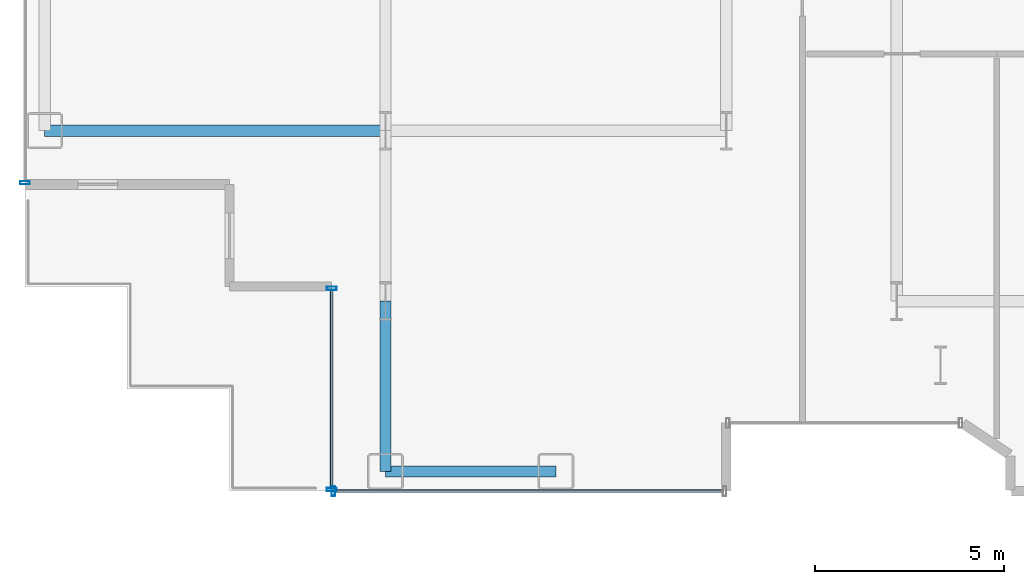
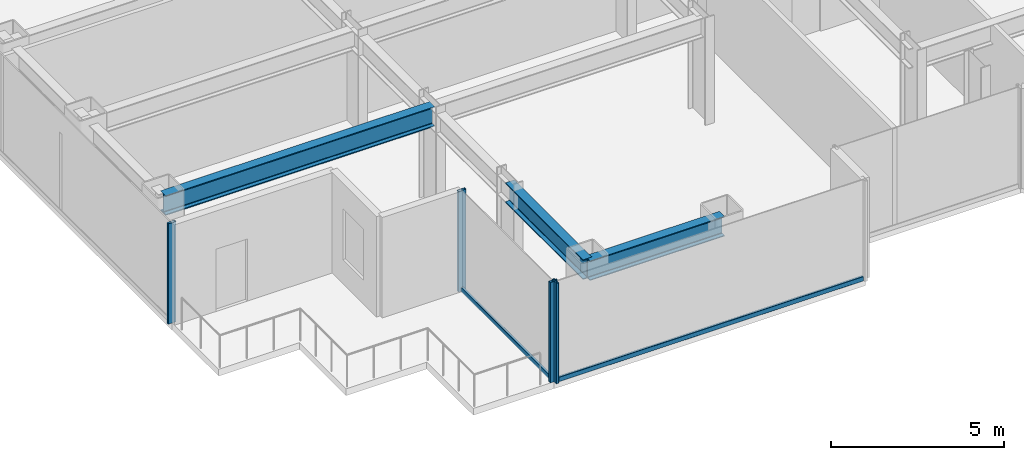
# One storey, part 2 of 27: 6 members, 3 beams, 3 elements without a shape of their own.
"""IFC4 building model written with IfcOpenShell, lengths in metres."""

from ifc_helpers import new_model, si_unit, direction, frame, origin, origin_2d, place, context, subcontext, project, spatial, hollow_rectangle, i_section, extrude, source, transform, mapped, material, layer, layer_set, material_profile, profile_set, type_object, element, aggregate, save


model = new_model("IFC4")

# Units and contexts
model_context = context("Model", 3, precision=1e-05, world=origin(), true_north=direction((0.0, 1.0)))
body_context = subcontext(model_context, "Body", "Model", "MODEL_VIEW")
ifc_project = project(units=[si_unit("LENGTHUNIT", "METRE"), si_unit("AREAUNIT", "SQUARE_METRE"), si_unit("VOLUMEUNIT", "CUBIC_METRE"), si_unit("PLANEANGLEUNIT", "RADIAN"), si_unit("MASSUNIT", "GRAM", prefix="KILO")], contexts=[model_context])

# Site, building, storey
site_placement = place(None, origin())
site = spatial("IfcSite", under=ifc_project, at=site_placement, CompositionType="ELEMENT")
building_placement = place(site_placement, origin())
building = spatial("IfcBuilding", under=site, at=building_placement, Name="Nefas-Gora Pilgrimage Tower", CompositionType="ELEMENT")
storey_placement = place(building_placement, frame((0.0, 0.0, 48.199951171875)))
storey = spatial("IfcBuildingStorey", under=building, at=storey_placement, Name="L10", CompositionType="ELEMENT", Elevation=48.199951171875)

# Beams
ifc_material_1 = material(Name="Steel S355", Category="steel")
ifc_material_profile_1 = material_profile(ifc_material_1, i_section(OverallWidth=0.300048828125, OverallDepth=0.699951171875, WebThickness=0.01708984375, FlangeThickness=0.031982421875, FilletRadius=0.027099609375, at=origin_2d()), Name="HEB 700")
ifc_profile_set_1 = profile_set([ifc_material_profile_1], Name="Steel S355")
beam_type_1 = type_object("IfcBeamType", Name="BM-SPN-HEB600", PredefinedType="SPANDREL", material=ifc_profile_set_1)
shared_shape_1 = source(origin(), body_context, "Body", "SweptSolid", [
    extrude(i_section(OverallWidth=0.300048828125, OverallDepth=0.699951171875, WebThickness=0.01708984375, FlangeThickness=0.031982421875, FilletRadius=0.027099609375, at=origin_2d()), origin(), (0.0, 0.0, 1.0), 4.5),
])
beam_1_placement = place(storey_placement, frame((-24.75, -22.5, 3.199951171875), z_axis=(1.0, 0.0, 0.0), x_axis=(0.0, 1.0, 0.0)))
element("IfcBeam", 1, at=beam_1_placement, inside=storey, type_object=beam_type_1, Name="L10 SP-01 beam", PredefinedType="SPANDREL", context=body_context, shape_type="MappedRepresentation", body=[
    mapped(shared_shape_1, transform((0.0, 0.0, 0.0), x_axis=(1.0, 0.0, 0.0), y_axis=(0.0, 1.0, 0.0), z_axis=(0.0, 0.0, 1.0), scale=1.0)),
])
ifc_material_profile_2 = material_profile(ifc_material_1, i_section(OverallWidth=0.300048828125, OverallDepth=0.699951171875, WebThickness=0.01708984375, FlangeThickness=0.031982421875, FilletRadius=0.027099609375, at=origin_2d()), Name="HEB 700")
ifc_profile_set_2 = profile_set([ifc_material_profile_2], Name="Steel S355")
beam_type_2 = type_object("IfcBeamType", Name="BM-GIR-HEB700", PredefinedType="BEAM", material=ifc_profile_set_2)
shared_shape_2 = source(origin(), body_context, "Body", "SweptSolid", [
    extrude(i_section(OverallWidth=0.300048828125, OverallDepth=0.699951171875, WebThickness=0.01708984375, FlangeThickness=0.031982421875, FilletRadius=0.027099609375, at=origin_2d()), origin(), (0.0, 0.0, 1.0), 9.0),
])
beam_2_placement = place(storey_placement, frame((-33.75, -13.5, 3.199951171875), z_axis=(1.0, 0.0, 0.0), x_axis=(0.0, 1.0, 0.0)))
element("IfcBeam", 2, at=beam_2_placement, inside=storey, type_object=beam_type_2, Name="L10 G-02 beam", PredefinedType="BEAM", context=body_context, shape_type="MappedRepresentation", body=[
    mapped(shared_shape_2, transform((0.0, 0.0, 0.0), x_axis=(1.0, 0.0, 0.0), y_axis=(0.0, 1.0, 0.0), z_axis=(0.0, 0.0, 1.0), scale=1.0)),
])
shared_shape_3 = source(origin(), body_context, "Body", "SweptSolid", [
    extrude(i_section(OverallWidth=0.300048828125, OverallDepth=0.699951171875, WebThickness=0.01708984375, FlangeThickness=0.031982421875, FilletRadius=0.027099609375, at=origin_2d()), origin(), (0.0, 0.0, 1.0), 4.5),
])
beam_3_placement = place(storey_placement, frame((-24.75, -22.5, 3.199951171875), z_axis=(0.0, 1.0, 0.0), x_axis=(-1.0, 0.0, 0.0)))
element("IfcBeam", 3, at=beam_3_placement, inside=storey, type_object=beam_type_2, Name="L10 G-02 beam", PredefinedType="BEAM", context=body_context, shape_type="MappedRepresentation", body=[
    mapped(shared_shape_3, transform((0.0, 0.0, 0.0), x_axis=(1.0, 0.0, 0.0), y_axis=(0.0, 1.0, 0.0), z_axis=(0.0, 0.0, 1.0), scale=1.0)),
])

# Curtain wall, member
ifc_material_2 = material(Name="Dark ceramic-fritted solar-control aluminium-glass curtain wall", Category="aluminium")
ifc_layer = layer(ifc_material_2, 0.219970703125)
ifc_layer_set = layer_set([ifc_layer], Name="Dark ceramic-fritted solar-control aluminium-glass curtain wall")
curtain_wall_type = type_object("IfcCurtainWallType", Name="CW-SYS-2", PredefinedType="NOTDEFINED", material=ifc_layer_set)
curtain_wall_1_placement = place(storey_placement, origin())
curtain_wall_1 = element("IfcCurtainWall", 4, at=curtain_wall_1_placement, inside=storey, type_object=curtain_wall_type, Name="L10 Unitised Curtain Wall CW2", PredefinedType="NOTDEFINED")
ifc_material_3 = material(Name="Anodised architectural aluminium", Category="aluminium")
ifc_material_profile_3 = material_profile(ifc_material_3, hollow_rectangle(XDim=0.090087890625, YDim=0.260009765625, WallThickness=0.006103515625, InnerFilletRadius=0.006103515625, OuterFilletRadius=0.011962890625, at=origin_2d()), Name="ALU MULLION 90x260")
ifc_profile_set_3 = profile_set([ifc_material_profile_3], Name="Anodised architectural aluminium")
member_type_1 = type_object("IfcMemberType", Name="CWM-MUL-2", PredefinedType="MULLION", material=ifc_profile_set_3)
shared_shape_4 = source(origin(), body_context, "Body", "SweptSolid", [
    extrude(hollow_rectangle(XDim=0.090087890625, YDim=0.260009765625, WallThickness=0.006103515625, InnerFilletRadius=0.006103515625, OuterFilletRadius=0.011962890625, at=origin_2d()), origin(), (0.0, 0.0, 1.0), 3.550048828125),
])
member_1_placement = place(storey_placement, frame((-34.27001953125, -14.875, 0.0), z_axis=(0.0, 0.0, 1.0), x_axis=(0.0, -1.0, 0.0)))
member_1 = element("IfcMember", 5, at=member_1_placement, type_object=member_type_1, Name="CW2 Mullion 2", PredefinedType="MULLION", context=body_context, shape_type="MappedRepresentation", body=[
    mapped(shared_shape_4, transform((0.0, 0.0, 0.0), x_axis=(1.0, 0.0, 0.0), y_axis=(0.0, 1.0, 0.0), z_axis=(0.0, 0.0, 1.0), scale=1.0)),
])
aggregate(curtain_wall_1, [member_1])

# Curtain wall, members
curtain_wall_2_placement = place(storey_placement, origin())
curtain_wall_2 = element("IfcCurtainWall", 6, at=curtain_wall_2_placement, inside=storey, type_object=curtain_wall_type, Name="L10 Unitised Curtain Wall CW2", PredefinedType="NOTDEFINED")
member_2_placement = place(storey_placement, frame((-26.169921875, -17.6650390625, 0.0), z_axis=(0.0, 0.0, 1.0), x_axis=(0.0, -1.0, 0.0)))
member_2 = element("IfcMember", 7, at=member_2_placement, type_object=member_type_1, Name="CW2 Mullion 1", PredefinedType="MULLION", context=body_context, shape_type="MappedRepresentation", body=[
    mapped(shared_shape_4, transform((0.0, 0.0, 0.0), x_axis=(1.0, 0.0, 0.0), y_axis=(0.0, 1.0, 0.0), z_axis=(0.0, 0.0, 1.0), scale=1.0)),
])
member_3_placement = place(storey_placement, frame((-26.169921875, -22.97509765625, 0.0), z_axis=(0.0, 0.0, 1.0), x_axis=(0.0, -1.0, 0.0)))
member_3 = element("IfcMember", 8, at=member_3_placement, type_object=member_type_1, Name="CW2 Mullion 2", PredefinedType="MULLION", context=body_context, shape_type="MappedRepresentation", body=[
    mapped(shared_shape_4, transform((0.0, 0.0, 0.0), x_axis=(1.0, 0.0, 0.0), y_axis=(0.0, 1.0, 0.0), z_axis=(0.0, 0.0, 1.0), scale=1.0)),
])

# Curtain wall, member
curtain_wall_3_placement = place(storey_placement, origin())
curtain_wall_3 = element("IfcCurtainWall", 9, at=curtain_wall_3_placement, inside=storey, type_object=curtain_wall_type, Name="L10 Unitised Curtain Wall CW2", PredefinedType="NOTDEFINED")
member_4_placement = place(storey_placement, frame((-26.125, -23.02001953125, 0.0), z_axis=(0.0, 0.0, 1.0), x_axis=(1.0, 0.0, 0.0)))
member_4 = element("IfcMember", 10, at=member_4_placement, type_object=member_type_1, Name="CW2 Mullion 1", PredefinedType="MULLION", context=body_context, shape_type="MappedRepresentation", body=[
    mapped(shared_shape_4, transform((0.0, 0.0, 0.0), x_axis=(1.0, 0.0, 0.0), y_axis=(0.0, 1.0, 0.0), z_axis=(0.0, 0.0, 1.0), scale=1.0)),
])

# Member
ifc_material_profile_4 = material_profile(ifc_material_3, hollow_rectangle(XDim=0.080078125, YDim=0.159912109375, WallThickness=0.00439453125, InnerFilletRadius=0.00439453125, OuterFilletRadius=0.009033203125, at=origin_2d()), Name="ALU TRANSOM 80x160")
ifc_profile_set_4 = profile_set([ifc_material_profile_4], Name="Anodised architectural aluminium")
member_type_2 = type_object("IfcMemberType", Name="CWM-TRN-2", PredefinedType="USERDEFINED", material=ifc_profile_set_4)
shared_shape_5 = source(origin(), body_context, "Body", "SweptSolid", [
    extrude(hollow_rectangle(XDim=0.080078125, YDim=0.159912109375, WallThickness=0.00439453125, InnerFilletRadius=0.00439453125, OuterFilletRadius=0.009033203125, at=origin_2d()), origin(), (0.0, 0.0, 1.0), 5.219970703125),
])
member_5_placement = place(storey_placement, frame((-26.169921875, -17.7099609375, 0.050048828125), z_axis=(0.0, -1.0, 0.0), x_axis=(1.0, 0.0, 0.0)))
member_5 = element("IfcMember", 11, at=member_5_placement, type_object=member_type_2, Name="CW2 Spandrel Transom", ObjectType="TRANSOM", PredefinedType="USERDEFINED", context=body_context, shape_type="MappedRepresentation", body=[
    mapped(shared_shape_5, transform((0.0, 0.0, 0.0), x_axis=(1.0, 0.0, 0.0), y_axis=(0.0, 1.0, 0.0), z_axis=(0.0, 0.0, 1.0), scale=1.0)),
])

aggregate(curtain_wall_2, [member_2, member_3, member_5])

shared_shape_6 = source(origin(), body_context, "Body", "SweptSolid", [
    extrude(hollow_rectangle(XDim=0.080078125, YDim=0.159912109375, WallThickness=0.00439453125, InnerFilletRadius=0.00439453125, OuterFilletRadius=0.009033203125, at=origin_2d()), origin(), (0.0, 0.0, 1.0), 10.239990234375),
])
member_6_placement = place(storey_placement, frame((-26.080078125, -23.02001953125, 0.050048828125), z_axis=(1.0, 0.0, 0.0), x_axis=(0.0, 1.0, 0.0)))
member_6 = element("IfcMember", 12, at=member_6_placement, type_object=member_type_2, Name="CW2 Spandrel Transom", ObjectType="TRANSOM", PredefinedType="USERDEFINED", context=body_context, shape_type="MappedRepresentation", body=[
    mapped(shared_shape_6, transform((0.0, 0.0, 0.0), x_axis=(1.0, 0.0, 0.0), y_axis=(0.0, 1.0, 0.0), z_axis=(0.0, 0.0, 1.0), scale=1.0)),
])

aggregate(curtain_wall_3, [member_4, member_6])

save(model, "model.ifc")
